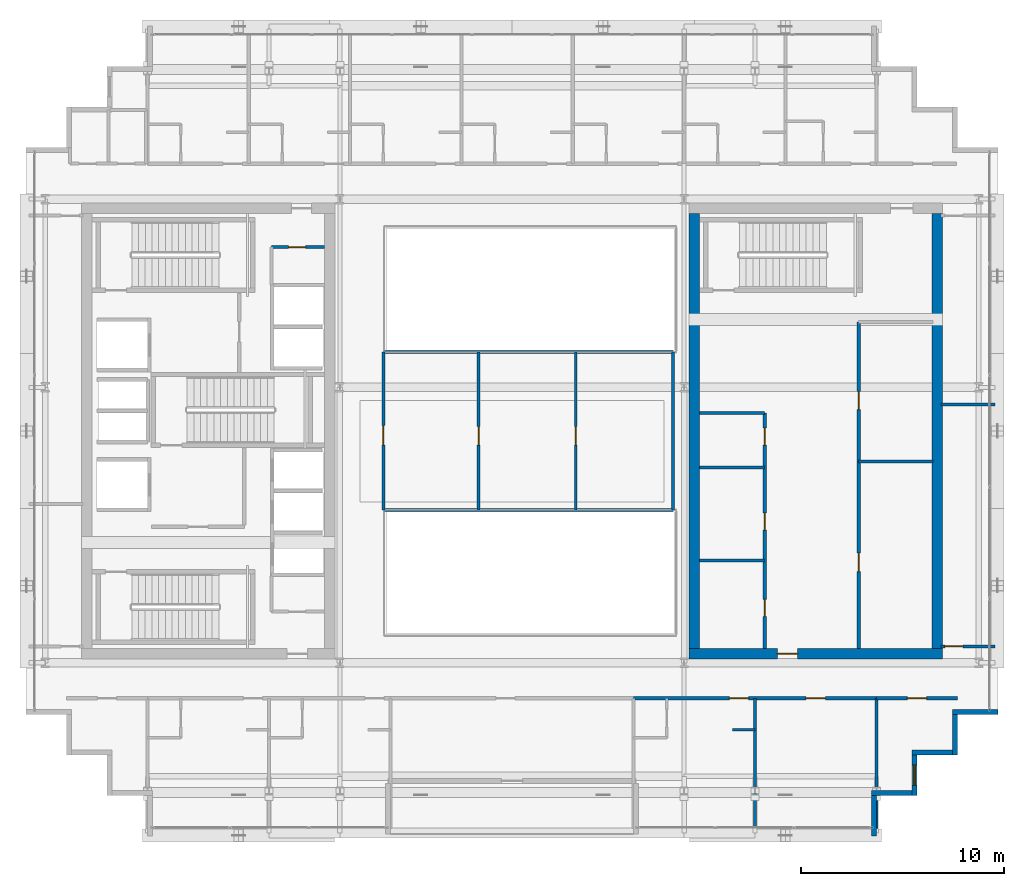
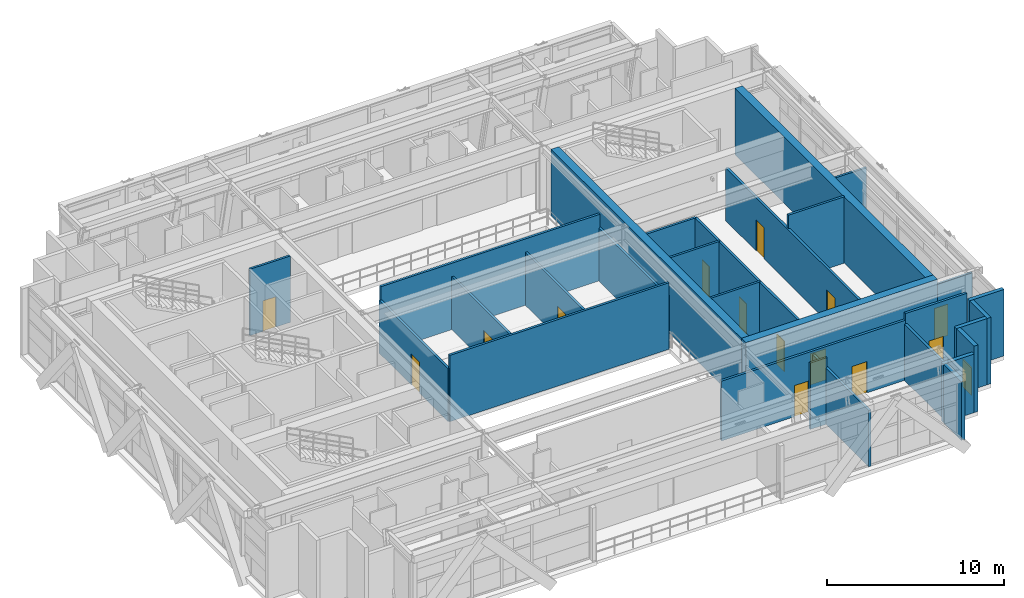
# One storey, part 25 of 31: 29 walls, 14 doors, 1 window, 15 openings.
"""IFC4 building model written with IfcOpenShell, lengths in metres."""

import ifcopenshell
import ifcopenshell.guid

model = None  # the IFC model being written
_history = None  # IfcOwnerHistory: only IFC2X3 demands one
_inside = {}  # id of a spatial element -> (the spatial element, [elements in it])
_under = {}  # id of a project, library or spatial element -> (it, [spatial elements below it])
_declared = {}  # id of a project -> (the project, [libraries it declares])
_typed = {}  # id of a type object -> (the type object, [elements of that type])
_made_of = {}  # id of a material, layer set ... -> (it, [elements and type objects made of it])


def new_model(schema):
    """Start an empty IFC model of exactly this schema.

    Asked for "IFC4X3", IfcOpenShell would pick the latest addendum, in which some entities
    have other attributes; the version numbers below select the first issue.
    IFC2X3 requires an IfcOwnerHistory on every rooted entity: one is made here for all.
    """
    global model, _history
    if schema == "IFC4X3":
        model = ifcopenshell.file(schema_version=(4, 3, 0, 0))
    else:
        model = ifcopenshell.file(schema=schema)
    _inside.clear()
    _under.clear()
    _declared.clear()
    _typed.clear()
    _made_of.clear()
    _history = None
    if model.schema == "IFC2X3":
        org = make("IfcOrganization", Name="unknown")
        user = make(
            "IfcPersonAndOrganization",
            ThePerson=make("IfcPerson", FamilyName="unknown"),
            TheOrganization=org,
        )
        app = make(
            "IfcApplication",
            ApplicationDeveloper=org,
            Version="unknown",
            ApplicationFullName="unknown",
            ApplicationIdentifier="unknown",
        )
        _history = make(
            "IfcOwnerHistory",
            OwningUser=user,
            OwningApplication=app,
            ChangeAction="ADDED",
            CreationDate=0,
        )
    return model


def make(cls, **values):
    """One entity of the class cls with the attributes given. An attribute that is None is left unset."""
    return model.create_entity(
        cls, **{name: value for name, value in values.items() if value is not None}
    )


def rooted(cls, **values):
    """An entity with a GlobalId (a new one), such as an element, a storey or a relation."""
    return make(cls, GlobalId=ifcopenshell.guid.new(), OwnerHistory=_history, **values)


def si_unit(unit_type, name, prefix=None):
    """IfcSIUnit, for example si_unit("LENGTHUNIT", "METRE", prefix="MILLI")."""
    return make("IfcSIUnit", UnitType=unit_type, Prefix=prefix, Name=name)


def assignment(units):
    """IfcUnitAssignment: the units of a project."""
    return None if units is None else make("IfcUnitAssignment", Units=units)


def point(xyz):
    """IfcCartesianPoint."""
    return None if xyz is None else make("IfcCartesianPoint", Coordinates=xyz)


def direction(xyz):
    """IfcDirection."""
    return None if xyz is None else make("IfcDirection", DirectionRatios=xyz)


def frame(location, z_axis=None, x_axis=None):
    """IfcAxis2Placement3D, a coordinate frame: its origin and axes. An axis left out is left unset."""
    return make(
        "IfcAxis2Placement3D",
        Location=point(location),
        Axis=direction(z_axis),
        RefDirection=direction(x_axis),
    )


def frame_2d(location, x_axis=None):
    """IfcAxis2Placement2D, a coordinate frame in the plane: its origin and x axis."""
    return make(
        "IfcAxis2Placement2D", Location=point(location), RefDirection=direction(x_axis)
    )


def origin():
    """The frame at (0, 0, 0) with its axes left unset."""
    return frame((0.0, 0.0, 0.0))


def place(relative_to, where):
    """IfcLocalPlacement: puts the frame where relative to a parent placement (None: the world)."""
    return make(
        "IfcLocalPlacement", PlacementRelTo=relative_to, RelativePlacement=where
    )


def context(
    kind, dimensions, precision=None, world=None, true_north=None, identifier=None
):
    """IfcGeometricRepresentationContext, for example the 3D "Model" context."""
    return make(
        "IfcGeometricRepresentationContext",
        ContextIdentifier=identifier,
        ContextType=kind,
        CoordinateSpaceDimension=dimensions,
        Precision=precision,
        WorldCoordinateSystem=world,
        TrueNorth=true_north,
    )


def subcontext(parent, identifier, kind, view, scale=None):
    """IfcGeometricRepresentationSubContext, for example "Body" below "Model"."""
    return make(
        "IfcGeometricRepresentationSubContext",
        ContextIdentifier=identifier,
        ContextType=kind,
        ParentContext=parent,
        TargetScale=scale,
        TargetView=view,
    )


def project(units=None, contexts=None):
    """IfcProject with its units and contexts."""
    return rooted(
        "IfcProject",
        Name="project",
        RepresentationContexts=contexts,
        UnitsInContext=assignment(units),
    )


def spatial(cls, under=None, at=None, **own):
    """A site, building, storey or space (cls), placed at a placement, below another one or the project."""
    s = rooted(cls, ObjectPlacement=at, **own)
    if under is not None:
        _under.setdefault(under.id(), (under, []))[1].append(s)
    return s


def profile(cls, at=None, kind="AREA", **sizes):
    """A parametric profile (cls). Its sizes go by their IFC names, for example OverallWidth=200.0."""
    return make(cls, ProfileType=kind, Position=at, **sizes)


def rectangle(**sizes):
    """IfcRectangleProfileDef."""
    return profile("IfcRectangleProfileDef", **sizes)


def extrude(swept, where, along, depth):
    """IfcExtrudedAreaSolid: the profile swept, set in the frame where, extruded along a direction by depth."""
    return make(
        "IfcExtrudedAreaSolid",
        SweptArea=swept,
        Position=where,
        ExtrudedDirection=direction(along),
        Depth=depth,
    )


def shape(context_of_items, identifier, shape_type, items):
    """IfcShapeRepresentation: the items that make up one representation, for example the "Body"."""
    return make(
        "IfcShapeRepresentation",
        ContextOfItems=context_of_items,
        RepresentationIdentifier=identifier,
        RepresentationType=shape_type,
        Items=items,
    )


def source(mapping_origin, context_of_items, identifier, shape_type, items):
    """IfcRepresentationMap: a shape defined once, which mapped items show again and again."""
    return make(
        "IfcRepresentationMap",
        MappingOrigin=mapping_origin,
        MappedRepresentation=shape(context_of_items, identifier, shape_type, items),
    )


def transform(
    local_origin,
    x_axis=None,
    y_axis=None,
    z_axis=None,
    scale=None,
    scale2=None,
    scale3=None,
    uniform=True,
):
    """IfcCartesianTransformationOperator3D, or its non-uniform kind. x_axis, y_axis, z_axis: its Axis1, 2, 3."""
    if uniform:
        return make(
            "IfcCartesianTransformationOperator3D",
            Axis1=direction(x_axis),
            Axis2=direction(y_axis),
            LocalOrigin=point(local_origin),
            Scale=scale,
            Axis3=direction(z_axis),
        )
    return make(
        "IfcCartesianTransformationOperator3DnonUniform",
        Axis1=direction(x_axis),
        Axis2=direction(y_axis),
        LocalOrigin=point(local_origin),
        Scale=scale,
        Axis3=direction(z_axis),
        Scale2=scale2,
        Scale3=scale3,
    )


def mapped(mapping_source, mapping_target):
    """IfcMappedItem: shows the shape of a source again, moved by a transform."""
    return make(
        "IfcMappedItem", MappingSource=mapping_source, MappingTarget=mapping_target
    )


def material(Name=None, Category=None):
    """IfcMaterial."""
    return make("IfcMaterial", Name=Name, Category=Category)


def layer(
    of_material, thickness, ventilated=None, Name=None, Category=None, Priority=None
):
    """IfcMaterialLayer: one layer of a wall or slab, of a material (None: an air gap)."""
    return make(
        "IfcMaterialLayer",
        Material=of_material,
        LayerThickness=thickness,
        IsVentilated=ventilated,
        Name=Name,
        Category=Category,
        Priority=Priority,
    )


def layer_set(layers, Name=None):
    """IfcMaterialLayerSet."""
    return make("IfcMaterialLayerSet", MaterialLayers=layers, LayerSetName=Name)


def made_of(thing, what):
    """Note that an element or type object is made of a material, layer set ...; save() writes the relation."""
    if what is not None:
        _made_of.setdefault(what.id(), (what, []))[1].append(thing)
    return thing


def type_object(cls, material=None, **own):
    """A type object (cls), such as IfcWallType, which elements share."""
    return made_of(rooted(cls, **own), material)


def element(
    cls,
    number,
    at=None,
    inside=None,
    cuts=None,
    type_object=None,
    material=None,
    context=None,
    identifier="Body",
    shape_type=None,
    held_by="IfcProductDefinitionShape",
    body=None,
    shapes=None,
    **own,
):
    """One element of the class cls, such as IfcWall. Its Tag is "e" and its number.

    at: its placement. inside: the storey or other place that contains it. cuts: it is an
    opening in that element (IfcRelVoidsElement). A single representation is given by context,
    identifier, shape_type and body (its items); several are given by shapes. held_by: the class
    of the entity that holds the representations. save() writes the other relations.
    """
    e = rooted(cls, Tag="e%d" % number, ObjectPlacement=at, **own)
    if body is not None:
        shapes = [shape(context, identifier, shape_type, body)]
    if shapes is not None:
        e.Representation = make(held_by, Representations=shapes)
    if inside is not None:
        _inside.setdefault(inside.id(), (inside, []))[1].append(e)
    if cuts is not None:
        rooted(
            "IfcRelVoidsElement", RelatingBuildingElement=cuts, RelatedOpeningElement=e
        )
    if type_object is not None:
        _typed.setdefault(type_object.id(), (type_object, []))[1].append(e)
    return made_of(e, material)


def fill(opening, filler):
    """IfcRelFillsElement: the door or window that sits in an opening."""
    return rooted(
        "IfcRelFillsElement",
        RelatingOpeningElement=opening,
        RelatedBuildingElement=filler,
    )


def aggregate(whole, parts):
    """IfcRelAggregates: a whole, such as a stair, and the parts it consists of."""
    return rooted("IfcRelAggregates", RelatingObject=whole, RelatedObjects=parts)


def save(model, path):
    """Write the relations noted so far, then the file.

    IfcRelAggregates (storeys below a building ...), IfcRelContainedInSpatialStructure (elements
    in a storey), IfcRelDefinesByType, IfcRelAssociatesMaterial and IfcRelDeclares: one each for
    every whole, place, type object, material and project.
    """
    for whole, parts in _under.values():
        aggregate(whole, parts)
    for where, things in _inside.values():
        rooted(
            "IfcRelContainedInSpatialStructure",
            RelatedElements=things,
            RelatingStructure=where,
        )
    for kind, things in _typed.values():
        rooted("IfcRelDefinesByType", RelatedObjects=things, RelatingType=kind)
    for what, things in _made_of.values():
        rooted("IfcRelAssociatesMaterial", RelatedObjects=things, RelatingMaterial=what)
    for by, libraries in _declared.values():
        rooted("IfcRelDeclares", RelatingContext=by, RelatedDefinitions=libraries)
    model.write(path)


model = new_model("IFC4")

# Units and contexts
model_context = context("Model", 3, precision=1e-05, world=origin(), true_north=direction((0.0, 1.0)))
body_context = subcontext(model_context, "Body", "Model", "MODEL_VIEW")
ifc_project = project(units=[si_unit("LENGTHUNIT", "METRE"), si_unit("AREAUNIT", "SQUARE_METRE"), si_unit("VOLUMEUNIT", "CUBIC_METRE"), si_unit("PLANEANGLEUNIT", "RADIAN"), si_unit("MASSUNIT", "GRAM", prefix="KILO")], contexts=[model_context])

# Site, building, storey
site_placement = place(None, origin())
site = spatial("IfcSite", under=ifc_project, at=site_placement, CompositionType="ELEMENT")
building_placement = place(site_placement, origin())
building = spatial("IfcBuilding", under=site, at=building_placement, Name="Ocotamira Hotel", CompositionType="ELEMENT")
storey_placement = place(building_placement, frame((0.0, 0.0, 228.0)))
storey = spatial("IfcBuildingStorey", under=building, at=storey_placement, Name="L57", CompositionType="ELEMENT", Elevation=228.0)

# Wall, opening, door
ifc_material_1 = material(Name="Concrete C50/60", Category="concrete")
ifc_layer_1 = layer(ifc_material_1, 0.5)
ifc_layer_set_1 = layer_set([ifc_layer_1], Name="Concrete C50/60")
wall_type_1 = type_object("IfcWallType", Name="WL-CORE-500", PredefinedType="SHEAR", material=ifc_layer_set_1)
wall_1_placement = place(storey_placement, frame((40.75, 15.0, 0.0), z_axis=(0.0, 0.0, 1.0), x_axis=(1.0, 0.0, 0.0)))
wall_1 = element("IfcWall", 1, at=wall_1_placement, inside=storey, type_object=wall_type_1, Name="L57 Shear Core Wall ECORE-S", PredefinedType="SHEAR", context=body_context, shape_type="SweptSolid", body=[
    extrude(rectangle(XDim=12.5, YDim=0.5, at=frame_2d((6.25, 0.0))), origin(), (0.0, 0.0, 1.0), 4.580078125),
])
opening_1_placement = place(wall_1_placement, frame((4.35009765625, 0.0, 0.0)))
opening_1 = element("IfcOpeningElement", 2, at=opening_1_placement, cuts=wall_1, Name="Opening D-FR2", PredefinedType="OPENING", context=body_context, shape_type="SweptSolid", body=[
    extrude(rectangle(XDim=1.0, YDim=2.14990234375, at=frame_2d((0.5, 1.074951171875))), frame((0.0, 0.260009765625, 0.0), z_axis=(0.0, -1.0, 0.0), x_axis=(1.0, 0.0, 0.0)), (0.0, 0.0, 1.0), 0.52001953125),
])
ifc_material_2 = material(Name="Fire-rated acoustic timber-veneer door", Category="wood")
door_type_1 = type_object("IfcDoorType", Name="DR-FIRE-1000", OperationType="NOTDEFINED", PredefinedType="DOOR", material=ifc_material_2)
shared_shape_1 = source(origin(), body_context, "Body", "SweptSolid", [
    extrude(rectangle(XDim=1.0, YDim=2.14990234375, at=frame_2d((0.5, 1.074951171875))), frame((0.0, 0.02490234375, 0.0), z_axis=(0.0, -1.0, 0.0), x_axis=(1.0, 0.0, 0.0)), (0.0, 0.0, 1.0), 0.050048828125),
])
door_1_placement = place(opening_1_placement, origin())
door_1 = element("IfcDoor", 3, at=door_1_placement, inside=storey, type_object=door_type_1, Name="L57 Door ID-L57-ELOB-S-D [ID-L57-ELOB-S-D]", OperationType="SINGLE_SWING_RIGHT", OverallHeight=2.14990234375, OverallWidth=1.0, PredefinedType="DOOR", context=body_context, shape_type="MappedRepresentation", body=[
    mapped(shared_shape_1, transform((0.0, 0.0, 0.0), scale=1.0)),
])
fill(opening_1, door_1)

# Walls
for number, where, z_axis, x_axis, name in (
    (4, (41.0, 15.25, 0.0), (0.0, 0.0, 1.0), (0.0, 1.0, 0.0), "L57 Shear Core Wall ECORE-W"),
    (5, (53.0, 15.25, 0.0), (0.0, 0.0, 1.0), (0.0, 1.0, 0.0), "L57 Shear Core Wall ECORE-E"),
):
    element("IfcWall", number, at=place(storey_placement, frame(where, z_axis=z_axis, x_axis=x_axis)), inside=storey, type_object=wall_type_1, Name=name, PredefinedType="SHEAR", context=body_context, shape_type="SweptSolid", body=[
        extrude(rectangle(XDim=21.5, YDim=0.5, at=frame_2d((10.75, 0.0))), origin(), (0.0, 0.0, 1.0), 4.580078125),
    ])
ifc_material_3 = material(Name="Precast concrete C45/55", Category="concrete")
ifc_layer_2 = layer(ifc_material_3, 0.25)
ifc_layer_set_2 = layer_set([ifc_layer_2], Name="Precast concrete C45/55")
wall_type_2 = type_object("IfcWallType", Name="WL-EXT-SER-250", PredefinedType="SOLIDWALL", material=ifc_layer_set_2)
for number, where, z_axis, x_axis, name in (
    (6, (49.875, 6.0, 0.0), (0.0, 0.0, 1.0), (0.0, 1.0, 0.0), "L57 Serrated Corner Wall 01"),
    (7, (49.75, 8.125, 0.0), (0.0, 0.0, 1.0), (1.0, 0.0, 0.0), "L57 Serrated Corner Wall 02"),
):
    element("IfcWall", number, at=place(storey_placement, frame(where, z_axis=z_axis, x_axis=x_axis)), inside=storey, type_object=wall_type_2, Name=name, PredefinedType="SOLIDWALL", context=body_context, shape_type="SweptSolid", body=[
        extrude(rectangle(XDim=2.0, YDim=0.25, at=frame_2d((1.0, 0.0))), origin(), (0.0, 0.0, 1.0), 4.04296875),
    ])

# Wall, opening, window
wall_2_placement = place(storey_placement, frame((51.875, 8.0, 0.0), z_axis=(0.0, 0.0, 1.0), x_axis=(0.0, 1.0, 0.0)))
wall_2 = element("IfcWall", 8, at=wall_2_placement, inside=storey, type_object=wall_type_2, Name="L57 Serrated Corner Wall 03", PredefinedType="SOLIDWALL", context=body_context, shape_type="SweptSolid", body=[
    extrude(rectangle(XDim=2.0, YDim=0.25, at=frame_2d((1.0, 0.0))), origin(), (0.0, 0.0, 1.0), 4.580078125),
])
opening_2_placement = place(wall_2_placement, frame((0.5, 0.0, 0.85009765625)))
opening_2 = element("IfcOpeningElement", 9, at=opening_2_placement, cuts=wall_2, Name="Opening WN-2", PredefinedType="OPENING", context=body_context, shape_type="SweptSolid", body=[
    extrude(rectangle(XDim=1.0, YDim=1.89990234375, at=frame_2d((0.5, 0.949951171875))), frame((0.0, 0.135009765625, 0.0), z_axis=(0.0, -1.0, 0.0), x_axis=(1.0, 0.0, 0.0)), (0.0, 0.0, 1.0), 0.27001953125),
])
ifc_material_4 = material(Name="Double-silver low-E solar glass", Category="glass")
window_type = type_object("IfcWindowType", Name="WIN-SER-1100", PartitioningType="SINGLE_PANEL", PredefinedType="WINDOW", material=ifc_material_4)
shared_shape_2 = source(origin(), body_context, "Body", "SweptSolid", [
    extrude(rectangle(XDim=1.0, YDim=1.89990234375, at=frame_2d((0.5, 0.949951171875))), frame((0.0, 0.030029296875, 0.0), z_axis=(0.0, -1.0, 0.0), x_axis=(1.0, 0.0, 0.0)), (0.0, 0.0, 1.0), 0.06005859375),
])
window_placement = place(opening_2_placement, origin())
window = element("IfcWindow", 10, at=window_placement, inside=storey, type_object=window_type, Name="L57 Serrated Corner Window 03", OverallHeight=1.89990234375, OverallWidth=1.0, PartitioningType="SINGLE_PANEL", PredefinedType="WINDOW", context=body_context, shape_type="MappedRepresentation", body=[
    mapped(shared_shape_2, transform((0.0, 0.0, 0.0), scale=1.0)),
])
fill(opening_2, window)

# Walls
for number, where, z_axis, x_axis, name in (
    (11, (51.75, 10.125, 0.0), (0.0, 0.0, 1.0), (1.0, 0.0, 0.0), "L57 Serrated Corner Wall 04"),
    (12, (53.875, 10.0, 0.0), (0.0, 0.0, 1.0), (0.0, 1.0, 0.0), "L57 Serrated Corner Wall 05"),
):
    element("IfcWall", number, at=place(storey_placement, frame(where, z_axis=z_axis, x_axis=x_axis)), inside=storey, type_object=wall_type_2, Name=name, PredefinedType="SOLIDWALL", context=body_context, shape_type="SweptSolid", body=[
        extrude(rectangle(XDim=2.0, YDim=0.25, at=frame_2d((1.0, 0.0))), origin(), (0.0, 0.0, 1.0), 4.580078125),
    ])
wall_3_placement = place(storey_placement, frame((53.75, 12.125, 0.0), z_axis=(0.0, 0.0, 1.0), x_axis=(1.0, 0.0, 0.0)))
element("IfcWall", 13, at=wall_3_placement, inside=storey, type_object=wall_type_2, Name="L57 Serrated Corner Wall 06", PredefinedType="SOLIDWALL", context=body_context, shape_type="SweptSolid", body=[
    extrude(rectangle(XDim=2.25, YDim=0.25, at=frame_2d((1.125, 0.0))), origin(), (0.0, 0.0, 1.0), 4.580078125),
])

# Wall, openings, doors
ifc_material_5 = material(Name="Acoustic double-layer fire gypsum board partition", Category="gypsum")
ifc_layer_3 = layer(ifc_material_5, 0.159912109375)
ifc_layer_set_3 = layer_set([ifc_layer_3], Name="Acoustic double-layer fire gypsum board partition")
wall_type_3 = type_object("IfcWallType", Name="WL-FIRE-160", PredefinedType="PARTITIONING", material=ifc_layer_set_3)
wall_4_placement = place(storey_placement, frame((49.1201171875, 15.25, 0.0), z_axis=(0.0, 0.0, 1.0), x_axis=(0.0, 1.0, 0.0)))
wall_4 = element("IfcWall", 14, at=wall_4_placement, inside=storey, type_object=wall_type_3, Name="L57 Interior Wall PW-L57-EC-FLOW-W", PredefinedType="PARTITIONING", context=body_context, shape_type="SweptSolid", body=[
    extrude(rectangle(XDim=16.1298828125, YDim=0.159912109375, at=frame_2d((8.06494140625, 0.0))), origin(), (0.0, 0.0, 1.0), 3.653076171875),
])
opening_3_placement = place(wall_4_placement, frame((3.800048828125, 0.0, 0.0)))
opening_3 = element("IfcOpeningElement", 15, at=opening_3_placement, cuts=wall_4, Name="Opening D-SV3", PredefinedType="OPENING", context=body_context, shape_type="SweptSolid", body=[
    extrude(rectangle(XDim=0.919921875, YDim=2.14990234375, at=frame_2d((0.4599609375, 1.074951171875))), frame((0.0, 0.08984375, 0.0), z_axis=(0.0, -1.0, 0.0), x_axis=(1.0, 0.0, 0.0)), (0.0, 0.0, 1.0), 0.179931640625),
])
opening_4_placement = place(wall_4_placement, frame((11.800048828125, 0.0, 0.0)))
opening_4 = element("IfcOpeningElement", 16, at=opening_4_placement, cuts=wall_4, Name="Opening D-IN3", PredefinedType="OPENING", context=body_context, shape_type="SweptSolid", body=[
    extrude(rectangle(XDim=0.89990234375, YDim=2.14990234375, at=frame_2d((0.449951171875, 1.074951171875))), frame((0.0, 0.08984375, 0.0), z_axis=(0.0, -1.0, 0.0), x_axis=(1.0, 0.0, 0.0)), (0.0, 0.0, 1.0), 0.179931640625),
])
ifc_material_6 = material(Name="Painted service room door", Category="steel")
door_type_2 = type_object("IfcDoorType", Name="DR-INT-900", OperationType="NOTDEFINED", PredefinedType="DOOR", material=ifc_material_6)
shared_shape_3 = source(origin(), body_context, "Body", "SweptSolid", [
    extrude(rectangle(XDim=0.89990234375, YDim=2.14990234375, at=frame_2d((0.449951171875, 1.074951171875))), frame((0.0, 0.02490234375, 0.0), z_axis=(0.0, -1.0, 0.0), x_axis=(1.0, 0.0, 0.0)), (0.0, 0.0, 1.0), 0.050048828125),
])
door_2_placement = place(opening_4_placement, origin())
door_2 = element("IfcDoor", 17, at=door_2_placement, inside=storey, type_object=door_type_2, Name="L57 Door ID-L57-EC-FLOW-DB [ID-L57-EC-FLOW-DB]", OperationType="SINGLE_SWING_RIGHT", OverallHeight=2.14990234375, OverallWidth=0.89990234375, PredefinedType="DOOR", context=body_context, shape_type="MappedRepresentation", body=[
    mapped(shared_shape_3, transform((0.0, 0.0, 0.0), scale=1.0)),
])
fill(opening_4, door_2)
ifc_material_7 = material(Name="Fire-rated walnut hospitality door", Category="wood")
door_type_3 = type_object("IfcDoorType", Name="DR-SERV-920", OperationType="NOTDEFINED", PredefinedType="DOOR", material=ifc_material_7)
shared_shape_4 = source(origin(), body_context, "Body", "SweptSolid", [
    extrude(rectangle(XDim=0.919921875, YDim=2.14990234375, at=frame_2d((0.4599609375, 1.074951171875))), frame((0.0, 0.02490234375, 0.0), z_axis=(0.0, -1.0, 0.0), x_axis=(1.0, 0.0, 0.0)), (0.0, 0.0, 1.0), 0.050048828125),
])
door_3_placement = place(opening_3_placement, origin())
door_3 = element("IfcDoor", 18, at=door_3_placement, inside=storey, type_object=door_type_3, Name="L57 Door ID-L57-EC-FLOW-DA [ID-L57-EC-FLOW-DA]", OperationType="SINGLE_SWING_LEFT", OverallHeight=2.14990234375, OverallWidth=0.919921875, PredefinedType="DOOR", context=body_context, shape_type="MappedRepresentation", body=[
    mapped(shared_shape_4, transform((0.0, 0.0, 0.0), scale=1.0)),
])
fill(opening_3, door_3)

wall_5_placement = place(storey_placement, frame((38.0, 12.800048828125, 0.0), z_axis=(0.0, 0.0, 1.0), x_axis=(1.0, 0.0, 0.0)))
wall_5 = element("IfcWall", 19, at=wall_5_placement, inside=storey, type_object=wall_type_3, Name="L57 Interior Wall PW-L57-L57SE-CORRW", PredefinedType="PARTITIONING", context=body_context, shape_type="SweptSolid", body=[
    extrude(rectangle(XDim=12.0, YDim=0.159912109375, at=frame_2d((6.0, 0.0))), origin(), (0.0, 0.0, 1.0), 4.123046875),
])
opening_5_placement = place(wall_5_placement, frame((4.739990234375, 0.0, 0.0)))
opening_5 = element("IfcOpeningElement", 20, at=opening_5_placement, cuts=wall_5, Name="Opening D-GR1", PredefinedType="OPENING", context=body_context, shape_type="SweptSolid", body=[
    extrude(rectangle(XDim=0.93994140625, YDim=2.14990234375, at=frame_2d((0.469970703125, 1.074951171875))), frame((0.0, 0.08984375, 0.0), z_axis=(0.0, -1.0, 0.0), x_axis=(1.0, 0.0, 0.0)), (0.0, 0.0, 1.0), 0.179931640625),
])
opening_6_placement = place(wall_5_placement, frame((8.52001953125, 0.0, 0.0)))
opening_6 = element("IfcOpeningElement", 21, at=opening_6_placement, cuts=wall_5, Name="Opening D-SV4", PredefinedType="OPENING", context=body_context, shape_type="SweptSolid", body=[
    extrude(rectangle(XDim=0.9599609375, YDim=2.14990234375, at=frame_2d((0.47998046875, 1.074951171875))), frame((0.0, 0.08984375, 0.0), z_axis=(0.0, -1.0, 0.0), x_axis=(1.0, 0.0, 0.0)), (0.0, 0.0, 1.0), 0.179931640625),
])
ifc_material_8 = material(Name="Fire-rated accessible walnut salon door", Category="wood")
door_type_4 = type_object("IfcDoorType", Name="DR-SERV-960", OperationType="NOTDEFINED", PredefinedType="DOOR", material=ifc_material_8)
shared_shape_5 = source(origin(), body_context, "Body", "SweptSolid", [
    extrude(rectangle(XDim=0.9599609375, YDim=2.14990234375, at=frame_2d((0.47998046875, 1.074951171875))), frame((0.0, 0.02490234375, 0.0), z_axis=(0.0, -1.0, 0.0), x_axis=(1.0, 0.0, 0.0)), (0.0, 0.0, 1.0), 0.050048828125),
])
door_4_placement = place(opening_6_placement, origin())
door_4 = element("IfcDoor", 22, at=door_4_placement, inside=storey, type_object=door_type_4, Name="L57 Door ID-L57-L57SE-AMD2 [ID-L57-L57SE-AMD2]", OperationType="SINGLE_SWING_RIGHT", OverallHeight=2.14990234375, OverallWidth=0.9599609375, PredefinedType="DOOR", context=body_context, shape_type="MappedRepresentation", body=[
    mapped(shared_shape_5, transform((0.0, 0.0, 0.0), scale=1.0)),
])
fill(opening_6, door_4)
ifc_material_9 = material(Name="Solid-core walnut suite entrance fire door", Category="wood")
door_type_5 = type_object("IfcDoorType", Name="DR-GUEST-940", OperationType="NOTDEFINED", PredefinedType="DOOR", material=ifc_material_9)
shared_shape_6 = source(origin(), body_context, "Body", "SweptSolid", [
    extrude(rectangle(XDim=0.93994140625, YDim=2.14990234375, at=frame_2d((0.469970703125, 1.074951171875))), frame((0.0, 0.02490234375, 0.0), z_axis=(0.0, -1.0, 0.0), x_axis=(1.0, 0.0, 0.0)), (0.0, 0.0, 1.0), 0.050048828125),
])
door_5_placement = place(opening_5_placement, origin())
door_5 = element("IfcDoor", 23, at=door_5_placement, inside=storey, type_object=door_type_5, Name="L57 Door ID-L57-L57SE-RMD1 [ID-L57-L57SE-RMD1]", OperationType="SINGLE_SWING_LEFT", OverallHeight=2.14990234375, OverallWidth=0.93994140625, PredefinedType="DOOR", context=body_context, shape_type="MappedRepresentation", body=[
    mapped(shared_shape_6, transform((0.0, 0.0, 0.0), scale=1.0)),
])
fill(opening_5, door_5)

# Wall, opening, door
wall_6_placement = place(storey_placement, frame((50.0, 12.800048828125, 0.0), z_axis=(0.0, 0.0, 1.0), x_axis=(1.0, 0.0, 0.0)))
wall_6 = element("IfcWall", 24, at=wall_6_placement, inside=storey, type_object=wall_type_3, Name="L57 Interior Wall PW-L57-L57-CSE-CW", PredefinedType="PARTITIONING", context=body_context, shape_type="SweptSolid", body=[
    extrude(rectangle(XDim=4.0, YDim=0.159912109375, at=frame_2d((2.0, 0.0))), origin(), (0.0, 0.0, 1.0), 4.580078125),
])
opening_7_placement = place(wall_6_placement, frame((1.52001953125, 0.0, 0.0)))
opening_7 = element("IfcOpeningElement", 25, at=opening_7_placement, cuts=wall_6, Name="Opening D-SV4", PredefinedType="OPENING", context=body_context, shape_type="SweptSolid", body=[
    extrude(rectangle(XDim=0.9599609375, YDim=2.14990234375, at=frame_2d((0.47998046875, 1.074951171875))), frame((0.0, 0.08984375, 0.0), z_axis=(0.0, -1.0, 0.0), x_axis=(1.0, 0.0, 0.0)), (0.0, 0.0, 1.0), 0.179931640625),
])
door_6_placement = place(opening_7_placement, origin())
door_6 = element("IfcDoor", 26, at=door_6_placement, inside=storey, type_object=door_type_4, Name="L57 Door ID-L57-L57-CSE-CD [ID-L57-L57-CSE-CD]", OperationType="SINGLE_SWING_LEFT", OverallHeight=2.14990234375, OverallWidth=0.9599609375, PredefinedType="DOOR", context=body_context, shape_type="MappedRepresentation", body=[
    mapped(shared_shape_5, transform((0.0, 0.0, 0.0), scale=1.0)),
])
fill(opening_7, door_6)

# Wall
ifc_material_10 = material(Name="Moisture-resistant en-suite tile and gypsum partition", Category="gypsum")
ifc_layer_4 = layer(ifc_material_10, 0.1201171875)
ifc_layer_set_4 = layer_set([ifc_layer_4], Name="Moisture-resistant en-suite tile and gypsum partition")
wall_type_4 = type_object("IfcWallType", Name="WL-PART-120", PredefinedType="PARTITIONING", material=ifc_layer_set_4)
wall_7_placement = place(storey_placement, frame((42.89990234375, 11.25, 0.0), z_axis=(0.0, 0.0, 1.0), x_axis=(1.0, 0.0, 0.0)))
element("IfcWall", 27, at=wall_7_placement, inside=storey, type_object=wall_type_4, Name="L57 Interior Wall PW-L57-L57SE-DRN1", PredefinedType="PARTITIONING", context=body_context, shape_type="SweptSolid", body=[
    extrude(rectangle(XDim=1.10009765625, YDim=0.1201171875, at=frame_2d((0.550048828125, 0.0))), origin(), (0.0, 0.0, 1.0), 4.580078125),
])

# Wall, opening, door
ifc_material_11 = material(Name="Acoustic hospitality gypsum board partition", Category="gypsum")
ifc_layer_5 = layer(ifc_material_11, 0.14208984375)
ifc_layer_set_5 = layer_set([ifc_layer_5], Name="Acoustic hospitality gypsum board partition")
wall_type_5 = type_object("IfcWallType", Name="WL-PART-142", PredefinedType="PARTITIONING", material=ifc_layer_set_5)
wall_8_placement = place(storey_placement, frame((20.1201171875, 35.080078125, 0.0), z_axis=(0.0, 0.0, 1.0), x_axis=(1.0, 0.0, 0.0)))
wall_8 = element("IfcWall", 28, at=wall_8_placement, inside=storey, type_object=wall_type_5, Name="L57 Interior Wall PW-L57-WC-NE-N2", PredefinedType="PARTITIONING", context=body_context, shape_type="SweptSolid", body=[
    extrude(rectangle(XDim=2.6298828125, YDim=0.14208984375, at=frame_2d((1.31494140625, 0.0))), origin(), (0.0, 0.0, 1.0), 4.580078125),
])
opening_8_placement = place(wall_8_placement, frame((0.85009765625, 0.0, 0.0)))
opening_8 = element("IfcOpeningElement", 29, at=opening_8_placement, cuts=wall_8, Name="Opening D-SV1", PredefinedType="OPENING", context=body_context, shape_type="SweptSolid", body=[
    extrude(rectangle(XDim=0.840087890625, YDim=2.10009765625, at=frame_2d((0.419921875, 1.050048828125))), frame((0.0, 0.0810546875, 0.0), z_axis=(0.0, -1.0, 0.0), x_axis=(1.0, 0.0, 0.0)), (0.0, 0.0, 1.0), 0.162109375),
])
ifc_material_12 = material(Name="Fire-rated painted steel service door", Category="steel")
door_type_6 = type_object("IfcDoorType", Name="DR-SERV-840", OperationType="NOTDEFINED", PredefinedType="DOOR", material=ifc_material_12)
shared_shape_7 = source(origin(), body_context, "Body", "SweptSolid", [
    extrude(rectangle(XDim=0.840087890625, YDim=2.10009765625, at=frame_2d((0.419921875, 1.050048828125))), frame((0.0, 0.02490234375, 0.0), z_axis=(0.0, -1.0, 0.0), x_axis=(1.0, 0.0, 0.0)), (0.0, 0.0, 1.0), 0.050048828125),
])
door_7_placement = place(opening_8_placement, origin())
door_7 = element("IfcDoor", 30, at=door_7_placement, inside=storey, type_object=door_type_6, Name="L57 Door ID-L57-WC-NE-D2 [ID-L57-WC-NE-D2]", OperationType="SINGLE_SWING_RIGHT", OverallHeight=2.10009765625, OverallWidth=0.840087890625, PredefinedType="DOOR", context=body_context, shape_type="MappedRepresentation", body=[
    mapped(shared_shape_7, transform((0.0, 0.0, 0.0), scale=1.0)),
])
fill(opening_8, door_7)

# Walls
for number, where, z_axis, x_axis, name in (
    (31, (41.25, 19.60009765625, 0.0), (0.0, 0.0, 1.0), (1.0, 0.0, 0.0), "L57 Interior Wall PW-L57-EC-FMD1"),
    (32, (41.25, 24.199951171875, 0.0), (0.0, 0.0, 1.0), (1.0, 0.0, 0.0), "L57 Interior Wall PW-L57-EC-FMD2"),
):
    element("IfcWall", number, at=place(storey_placement, frame(where, z_axis=z_axis, x_axis=x_axis)), inside=storey, type_object=wall_type_5, Name=name, PredefinedType="PARTITIONING", context=body_context, shape_type="SweptSolid", body=[
        extrude(rectangle(XDim=3.22998046875, YDim=0.14208984375, at=frame_2d((1.614990234375, 0.0))), origin(), (0.0, 0.0, 1.0), 4.580078125),
    ])

# Wall, opening, door
wall_9_placement = place(storey_placement, frame((30.35009765625, 22.10009765625, 0.0), z_axis=(0.0, 0.0, 1.0), x_axis=(0.0, 1.0, 0.0)))
wall_9 = element("IfcWall", 33, at=wall_9_placement, inside=storey, type_object=wall_type_5, Name="L57 Interior Wall PW-L57-SKY57-D1", PredefinedType="PARTITIONING", context=body_context, shape_type="SweptSolid", body=[
    extrude(rectangle(XDim=7.7998046875, YDim=0.14208984375, at=frame_2d((3.89990234375, 0.0))), origin(), (0.0, 0.0, 1.0), 3.653076171875),
])
opening_9_placement = place(wall_9_placement, frame((3.199951171875, 0.0, 0.0)))
opening_9 = element("IfcOpeningElement", 34, at=opening_9_placement, cuts=wall_9, Name="Opening D-SV3", PredefinedType="OPENING", context=body_context, shape_type="SweptSolid", body=[
    extrude(rectangle(XDim=0.919921875, YDim=2.14990234375, at=frame_2d((0.4599609375, 1.074951171875))), frame((0.0, 0.0810546875, 0.0), z_axis=(0.0, -1.0, 0.0), x_axis=(1.0, 0.0, 0.0)), (0.0, 0.0, 1.0), 0.162109375),
])
door_8_placement = place(opening_9_placement, origin())
door_8 = element("IfcDoor", 35, at=door_8_placement, inside=storey, type_object=door_type_3, Name="L57 Door ID-L57-L57-BRD2 [ID-L57-L57-BRD2]", OperationType="SINGLE_SWING_LEFT", OverallHeight=2.14990234375, OverallWidth=0.919921875, PredefinedType="DOOR", context=body_context, shape_type="MappedRepresentation", body=[
    mapped(shared_shape_4, transform((0.0, 0.0, 0.0), scale=1.0)),
])
fill(opening_9, door_8)

wall_10_placement = place(storey_placement, frame((35.14990234375, 22.10009765625, 0.0), z_axis=(0.0, 0.0, 1.0), x_axis=(0.0, 1.0, 0.0)))
wall_10 = element("IfcWall", 36, at=wall_10_placement, inside=storey, type_object=wall_type_5, Name="L57 Interior Wall PW-L57-SKY57-D2", PredefinedType="PARTITIONING", context=body_context, shape_type="SweptSolid", body=[
    extrude(rectangle(XDim=7.7998046875, YDim=0.14208984375, at=frame_2d((3.89990234375, 0.0))), origin(), (0.0, 0.0, 1.0), 3.653076171875),
])
opening_10_placement = place(wall_10_placement, frame((3.199951171875, 0.0, 0.0)))
opening_10 = element("IfcOpeningElement", 37, at=opening_10_placement, cuts=wall_10, Name="Opening D-SV3", PredefinedType="OPENING", context=body_context, shape_type="SweptSolid", body=[
    extrude(rectangle(XDim=0.919921875, YDim=2.14990234375, at=frame_2d((0.4599609375, 1.074951171875))), frame((0.0, 0.0810546875, 0.0), z_axis=(0.0, -1.0, 0.0), x_axis=(1.0, 0.0, 0.0)), (0.0, 0.0, 1.0), 0.162109375),
])
door_9_placement = place(opening_10_placement, origin())
door_9 = element("IfcDoor", 38, at=door_9_placement, inside=storey, type_object=door_type_3, Name="L57 Door ID-L57-L57-BRD3 [ID-L57-L57-BRD3]", OperationType="SINGLE_SWING_RIGHT", OverallHeight=2.14990234375, OverallWidth=0.919921875, PredefinedType="DOOR", context=body_context, shape_type="MappedRepresentation", body=[
    mapped(shared_shape_4, transform((0.0, 0.0, 0.0), scale=1.0)),
])
fill(opening_10, door_9)

# Walls
wall_11_placement = place(storey_placement, frame((53.179931640625, 27.300048828125, 0.0), z_axis=(0.0, 0.0, 1.0), x_axis=(1.0, 0.0, 0.0)))
element("IfcWall", 39, at=wall_11_placement, inside=storey, type_object=wall_type_5, Name="L57 Interior Wall PW-L57-L57E-DV1", PredefinedType="PARTITIONING", context=body_context, shape_type="SweptSolid", body=[
    extrude(rectangle(XDim=2.66015625, YDim=0.14208984375, at=frame_2d((1.330078125, 0.0))), origin(), (0.0, 0.0, 1.0), 3.801025390625),
])
ifc_layer_6 = layer(ifc_material_11, 0.14990234375)
ifc_layer_set_6 = layer_set([ifc_layer_6], Name="Acoustic hospitality gypsum board partition")
wall_type_6 = type_object("IfcWallType", Name="WL-PART-150", PredefinedType="PARTITIONING", material=ifc_layer_set_6)
wall_12_placement = place(storey_placement, frame((49.1201171875, 24.489990234375, 0.0), z_axis=(0.0, 0.0, 1.0), x_axis=(1.0, 0.0, 0.0)))
element("IfcWall", 40, at=wall_12_placement, inside=storey, type_object=wall_type_6, Name="L57 Interior Wall PW-L57-EC-FDIVA", PredefinedType="PARTITIONING", context=body_context, shape_type="SweptSolid", body=[
    extrude(rectangle(XDim=3.679931640625, YDim=0.14990234375, at=frame_2d((1.83984375, 0.0))), origin(), (0.0, 0.0, 1.0), 4.580078125),
])
wall_13_placement = place(storey_placement, frame((41.25, 26.8798828125, 0.0), z_axis=(0.0, 0.0, 1.0), x_axis=(1.0, 0.0, 0.0)))
element("IfcWall", 41, at=wall_13_placement, inside=storey, type_object=wall_type_6, Name="L57 Interior Wall PW-L57-EC-FMID-N", PredefinedType="PARTITIONING", context=body_context, shape_type="SweptSolid", body=[
    extrude(rectangle(XDim=3.22998046875, YDim=0.14990234375, at=frame_2d((1.614990234375, 0.0))), origin(), (0.0, 0.0, 1.0), 4.580078125),
])

# Wall, openings, doors
wall_14_placement = place(storey_placement, frame((44.47998046875, 15.25, 0.0), z_axis=(0.0, 0.0, 1.0), x_axis=(0.0, 1.0, 0.0)))
wall_14 = element("IfcWall", 42, at=wall_14_placement, inside=storey, type_object=wall_type_6, Name="L57 Interior Wall PW-L57-EC-FMID-E", PredefinedType="PARTITIONING", context=body_context, shape_type="SweptSolid", body=[
    extrude(rectangle(XDim=11.6298828125, YDim=0.14990234375, at=frame_2d((5.81494140625, 0.0))), origin(), (0.0, 0.0, 1.0), 4.580078125),
])
opening_11_placement = place(wall_14_placement, frame((1.60009765625, 0.0, 0.0)))
opening_11 = element("IfcOpeningElement", 43, at=opening_11_placement, cuts=wall_14, Name="Opening D-SV1", PredefinedType="OPENING", context=body_context, shape_type="SweptSolid", body=[
    extrude(rectangle(XDim=0.840087890625, YDim=2.10009765625, at=frame_2d((0.419921875, 1.050048828125))), frame((0.0, 0.0849609375, 0.0), z_axis=(0.0, -1.0, 0.0), x_axis=(1.0, 0.0, 0.0)), (0.0, 0.0, 1.0), 0.169921875),
])
opening_12_placement = place(wall_14_placement, frame((5.85009765625, 0.0, 0.0)))
opening_12 = element("IfcOpeningElement", 44, at=opening_12_placement, cuts=wall_14, Name="Opening D-SV1", PredefinedType="OPENING", context=body_context, shape_type="SweptSolid", body=[
    extrude(rectangle(XDim=0.840087890625, YDim=2.10009765625, at=frame_2d((0.419921875, 1.050048828125))), frame((0.0, 0.0849609375, 0.0), z_axis=(0.0, -1.0, 0.0), x_axis=(1.0, 0.0, 0.0)), (0.0, 0.0, 1.0), 0.169921875),
])
opening_13_placement = place(wall_14_placement, frame((10.050048828125, 0.0, 0.0)))
opening_13 = element("IfcOpeningElement", 45, at=opening_13_placement, cuts=wall_14, Name="Opening D-SV1", PredefinedType="OPENING", context=body_context, shape_type="SweptSolid", body=[
    extrude(rectangle(XDim=0.840087890625, YDim=2.10009765625, at=frame_2d((0.419921875, 1.050048828125))), frame((0.0, 0.0849609375, 0.0), z_axis=(0.0, -1.0, 0.0), x_axis=(1.0, 0.0, 0.0)), (0.0, 0.0, 1.0), 0.169921875),
])
door_10_placement = place(opening_11_placement, origin())
door_10 = element("IfcDoor", 46, at=door_10_placement, inside=storey, type_object=door_type_6, Name="L57 Door ID-L57-EC-FMD-1 [ID-L57-EC-FMD-1]", OperationType="SINGLE_SWING_LEFT", OverallHeight=2.10009765625, OverallWidth=0.840087890625, PredefinedType="DOOR", context=body_context, shape_type="MappedRepresentation", body=[
    mapped(shared_shape_7, transform((0.0, 0.0, 0.0), scale=1.0)),
])
fill(opening_11, door_10)
door_11_placement = place(opening_12_placement, origin())
door_11 = element("IfcDoor", 47, at=door_11_placement, inside=storey, type_object=door_type_6, Name="L57 Door ID-L57-EC-FMD-2 [ID-L57-EC-FMD-2]", OperationType="SINGLE_SWING_RIGHT", OverallHeight=2.10009765625, OverallWidth=0.840087890625, PredefinedType="DOOR", context=body_context, shape_type="MappedRepresentation", body=[
    mapped(shared_shape_7, transform((0.0, 0.0, 0.0), scale=1.0)),
])
fill(opening_12, door_11)
door_12_placement = place(opening_13_placement, origin())
door_12 = element("IfcDoor", 48, at=door_12_placement, inside=storey, type_object=door_type_6, Name="L57 Door ID-L57-EC-FMD-3 [ID-L57-EC-FMD-3]", OperationType="SINGLE_SWING_LEFT", OverallHeight=2.10009765625, OverallWidth=0.840087890625, PredefinedType="DOOR", context=body_context, shape_type="MappedRepresentation", body=[
    mapped(shared_shape_7, transform((0.0, 0.0, 0.0), scale=1.0)),
])
fill(opening_13, door_12)

# Wall, opening, door
wall_15_placement = place(storey_placement, frame((25.64990234375, 22.10009765625, 0.0), z_axis=(0.0, 0.0, 1.0), x_axis=(0.0, 1.0, 0.0)))
wall_15 = element("IfcWall", 49, at=wall_15_placement, inside=storey, type_object=wall_type_6, Name="L57 Interior Wall PW-L57-L57-BRW", PredefinedType="PARTITIONING", context=body_context, shape_type="SweptSolid", body=[
    extrude(rectangle(XDim=7.7998046875, YDim=0.14990234375, at=frame_2d((3.89990234375, 0.0))), origin(), (0.0, 0.0, 1.0), 3.653076171875),
])
opening_14_placement = place(wall_15_placement, frame((3.199951171875, 0.0, 0.0)))
opening_14 = element("IfcOpeningElement", 50, at=opening_14_placement, cuts=wall_15, Name="Opening D-SV4", PredefinedType="OPENING", context=body_context, shape_type="SweptSolid", body=[
    extrude(rectangle(XDim=0.9599609375, YDim=2.14990234375, at=frame_2d((0.47998046875, 1.074951171875))), frame((0.0, 0.0849609375, 0.0), z_axis=(0.0, -1.0, 0.0), x_axis=(1.0, 0.0, 0.0)), (0.0, 0.0, 1.0), 0.169921875),
])
door_13_placement = place(opening_14_placement, origin())
door_13 = element("IfcDoor", 51, at=door_13_placement, inside=storey, type_object=door_type_4, Name="L57 Door ID-L57-L57-BRD1 [ID-L57-L57-BRD1]", OperationType="SINGLE_SWING_RIGHT", OverallHeight=2.14990234375, OverallWidth=0.9599609375, PredefinedType="DOOR", context=body_context, shape_type="MappedRepresentation", body=[
    mapped(shared_shape_5, transform((0.0, 0.0, 0.0), scale=1.0)),
])
fill(opening_14, door_13)

# Walls
for number, where, z_axis, x_axis, name in (
    (52, (25.64990234375, 22.10009765625, 0.0), (0.0, 0.0, 1.0), (1.0, 0.0, 0.0), "L57 Interior Wall PW-L57-L57-BRS"),
    (53, (25.64990234375, 29.89990234375, 0.0), (0.0, 0.0, 1.0), (1.0, 0.0, 0.0), "L57 Interior Wall PW-L57-L57-BRN"),
):
    element("IfcWall", number, at=place(storey_placement, frame(where, z_axis=z_axis, x_axis=x_axis)), inside=storey, type_object=wall_type_6, Name=name, PredefinedType="PARTITIONING", context=body_context, shape_type="SweptSolid", body=[
        extrude(rectangle(XDim=14.300048828125, YDim=0.14990234375, at=frame_2d((7.14990234375, 0.0))), origin(), (0.0, 0.0, 1.0), 4.580078125),
    ])
wall_16_placement = place(storey_placement, frame((39.949951171875, 22.10009765625, 0.0), z_axis=(0.0, 0.0, 1.0), x_axis=(0.0, 1.0, 0.0)))
element("IfcWall", 54, at=wall_16_placement, inside=storey, type_object=wall_type_6, Name="L57 Interior Wall PW-L57-L57-BRE", PredefinedType="PARTITIONING", context=body_context, shape_type="SweptSolid", body=[
    extrude(rectangle(XDim=7.7998046875, YDim=0.14990234375, at=frame_2d((3.89990234375, 0.0))), origin(), (0.0, 0.0, 1.0), 3.653076171875),
])

# Wall, opening, door
wall_17_placement = place(storey_placement, frame((53.179931640625, 15.360107421875, 0.0), z_axis=(0.0, 0.0, 1.0), x_axis=(1.0, 0.0, 0.0)))
wall_17 = element("IfcWall", 55, at=wall_17_placement, inside=storey, type_object=wall_type_6, Name="L57 Interior Wall PW-L57-L57E-WS", PredefinedType="PARTITIONING", context=body_context, shape_type="SweptSolid", body=[
    extrude(rectangle(XDim=2.66015625, YDim=0.14990234375, at=frame_2d((1.330078125, 0.0))), origin(), (0.0, 0.0, 1.0), 3.801025390625),
])
opening_15_placement = place(wall_17_placement, frame((0.199951171875, 0.0, 0.0)))
opening_15 = element("IfcOpeningElement", 56, at=opening_15_placement, cuts=wall_17, Name="Opening D-SV2", PredefinedType="OPENING", context=body_context, shape_type="SweptSolid", body=[
    extrude(rectangle(XDim=0.8798828125, YDim=2.14990234375, at=frame_2d((0.43994140625, 1.074951171875))), frame((0.0, 0.0849609375, 0.0), z_axis=(0.0, -1.0, 0.0), x_axis=(1.0, 0.0, 0.0)), (0.0, 0.0, 1.0), 0.169921875),
])
door_type_7 = type_object("IfcDoorType", Name="DR-SERV-880", OperationType="NOTDEFINED", PredefinedType="DOOR", material=ifc_material_12)
shared_shape_8 = source(origin(), body_context, "Body", "SweptSolid", [
    extrude(rectangle(XDim=0.8798828125, YDim=2.14990234375, at=frame_2d((0.43994140625, 1.074951171875))), frame((0.0, 0.02490234375, 0.0), z_axis=(0.0, -1.0, 0.0), x_axis=(1.0, 0.0, 0.0)), (0.0, 0.0, 1.0), 0.050048828125),
])
door_14_placement = place(opening_15_placement, origin())
door_14 = element("IfcDoor", 57, at=door_14_placement, inside=storey, type_object=door_type_7, Name="L57 Door ID-L57-L57E-DS [ID-L57-L57E-DS]", OperationType="SINGLE_SWING_RIGHT", OverallHeight=2.14990234375, OverallWidth=0.8798828125, PredefinedType="DOOR", context=body_context, shape_type="MappedRepresentation", body=[
    mapped(shared_shape_8, transform((0.0, 0.0, 0.0), scale=1.0)),
])
fill(opening_15, door_14)

# Walls
ifc_material_13 = material(Name="Acoustic double-stud hospitality gypsum partition", Category="gypsum")
ifc_layer_7 = layer(ifc_material_13, 0.159912109375)
ifc_layer_set_7 = layer_set([ifc_layer_7], Name="Acoustic double-stud hospitality gypsum partition")
wall_type_7 = type_object("IfcWallType", Name="WL-PART-160", PredefinedType="PARTITIONING", material=ifc_layer_set_7)
for number, where, z_axis, x_axis, name in (
    (58, (50.0, 6.360107421875, 0.0), (0.0, 0.0, 1.0), (0.0, 1.0, 0.0), "L57 Interior Wall PW-L57-L57SE-PWEND"),
    (59, (44.0, 6.360107421875, 0.0), (0.0, 0.0, 1.0), (0.0, 1.0, 0.0), "L57 Interior Wall PW-L57-L57SE-PW1"),
):
    element("IfcWall", number, at=place(storey_placement, frame(where, z_axis=z_axis, x_axis=x_axis)), inside=storey, type_object=wall_type_7, Name=name, PredefinedType="PARTITIONING", context=body_context, shape_type="SweptSolid", body=[
        extrude(rectangle(XDim=6.43994140625, YDim=0.159912109375, at=frame_2d((3.219970703125, 0.0))), origin(), (0.0, 0.0, 1.0), 3.886962890625),
    ])

save(model, "model.ifc")
